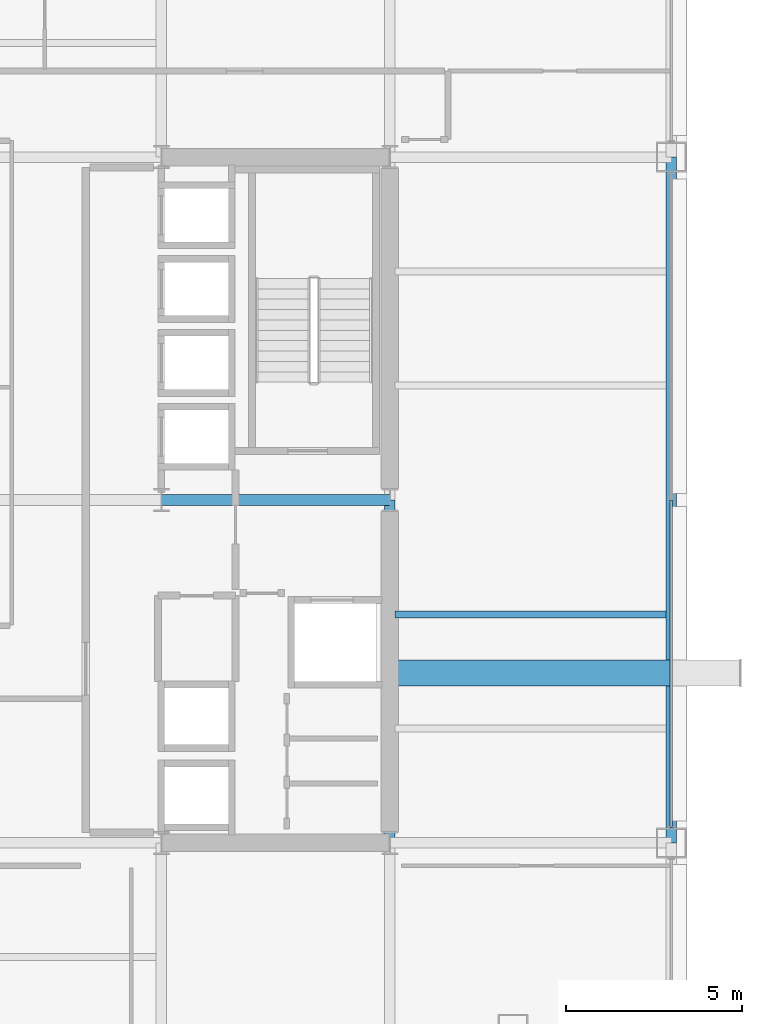
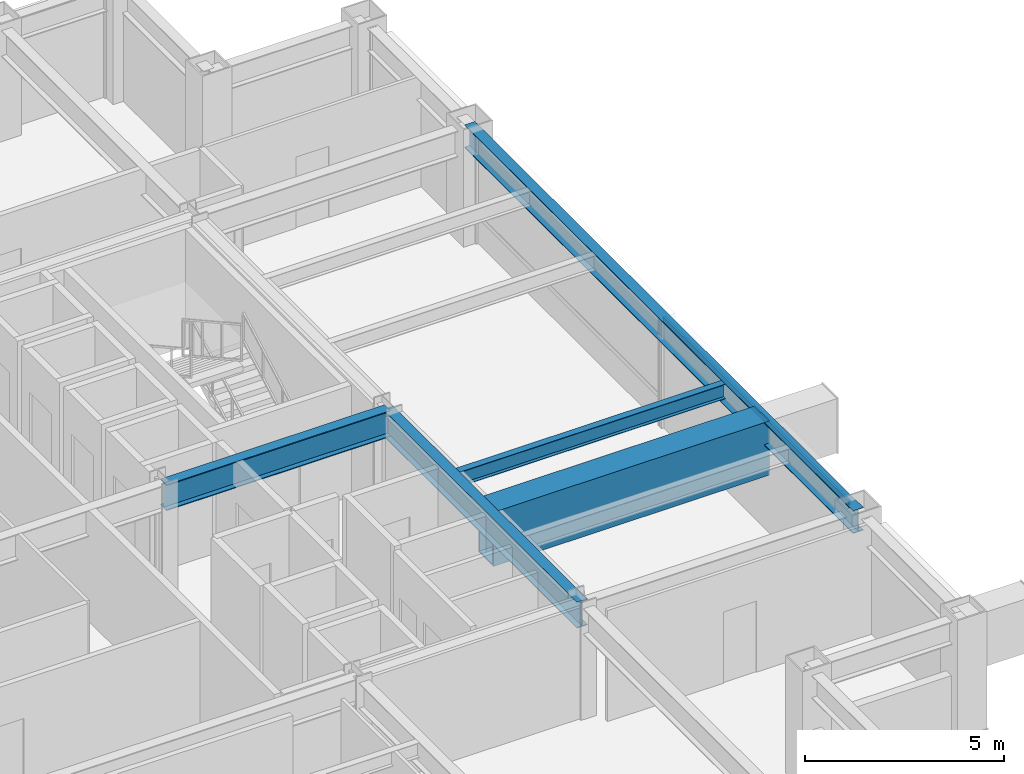
# One storey, part 13 of 28: 5 beams, 1 member, 1 element without a shape of its own.
"""IFC4 building model written with IfcOpenShell, lengths in metres."""

import ifcopenshell
import ifcopenshell.guid

model = None  # the IFC model being written
_history = None  # IfcOwnerHistory: only IFC2X3 demands one
_inside = {}  # id of a spatial element -> (the spatial element, [elements in it])
_under = {}  # id of a project, library or spatial element -> (it, [spatial elements below it])
_declared = {}  # id of a project -> (the project, [libraries it declares])
_typed = {}  # id of a type object -> (the type object, [elements of that type])
_made_of = {}  # id of a material, layer set ... -> (it, [elements and type objects made of it])


def new_model(schema):
    """Start an empty IFC model of exactly this schema.

    Asked for "IFC4X3", IfcOpenShell would pick the latest addendum, in which some entities
    have other attributes; the version numbers below select the first issue.
    IFC2X3 requires an IfcOwnerHistory on every rooted entity: one is made here for all.
    """
    global model, _history
    if schema == "IFC4X3":
        model = ifcopenshell.file(schema_version=(4, 3, 0, 0))
    else:
        model = ifcopenshell.file(schema=schema)
    _inside.clear()
    _under.clear()
    _declared.clear()
    _typed.clear()
    _made_of.clear()
    _history = None
    if model.schema == "IFC2X3":
        org = make("IfcOrganization", Name="unknown")
        user = make(
            "IfcPersonAndOrganization",
            ThePerson=make("IfcPerson", FamilyName="unknown"),
            TheOrganization=org,
        )
        app = make(
            "IfcApplication",
            ApplicationDeveloper=org,
            Version="unknown",
            ApplicationFullName="unknown",
            ApplicationIdentifier="unknown",
        )
        _history = make(
            "IfcOwnerHistory",
            OwningUser=user,
            OwningApplication=app,
            ChangeAction="ADDED",
            CreationDate=0,
        )
    return model


def make(cls, **values):
    """One entity of the class cls with the attributes given. An attribute that is None is left unset."""
    return model.create_entity(
        cls, **{name: value for name, value in values.items() if value is not None}
    )


def rooted(cls, **values):
    """An entity with a GlobalId (a new one), such as an element, a storey or a relation."""
    return make(cls, GlobalId=ifcopenshell.guid.new(), OwnerHistory=_history, **values)


def si_unit(unit_type, name, prefix=None):
    """IfcSIUnit, for example si_unit("LENGTHUNIT", "METRE", prefix="MILLI")."""
    return make("IfcSIUnit", UnitType=unit_type, Prefix=prefix, Name=name)


def assignment(units):
    """IfcUnitAssignment: the units of a project."""
    return None if units is None else make("IfcUnitAssignment", Units=units)


def point(xyz):
    """IfcCartesianPoint."""
    return None if xyz is None else make("IfcCartesianPoint", Coordinates=xyz)


def direction(xyz):
    """IfcDirection."""
    return None if xyz is None else make("IfcDirection", DirectionRatios=xyz)


def frame(location, z_axis=None, x_axis=None):
    """IfcAxis2Placement3D, a coordinate frame: its origin and axes. An axis left out is left unset."""
    return make(
        "IfcAxis2Placement3D",
        Location=point(location),
        Axis=direction(z_axis),
        RefDirection=direction(x_axis),
    )


def frame_2d(location, x_axis=None):
    """IfcAxis2Placement2D, a coordinate frame in the plane: its origin and x axis."""
    return make(
        "IfcAxis2Placement2D", Location=point(location), RefDirection=direction(x_axis)
    )


def origin():
    """The frame at (0, 0, 0) with its axes left unset."""
    return frame((0.0, 0.0, 0.0))


def origin_2d():
    """The frame at (0, 0) in the plane with its x axis left unset."""
    return frame_2d((0.0, 0.0))


def place(relative_to, where):
    """IfcLocalPlacement: puts the frame where relative to a parent placement (None: the world)."""
    return make(
        "IfcLocalPlacement", PlacementRelTo=relative_to, RelativePlacement=where
    )


def context(
    kind, dimensions, precision=None, world=None, true_north=None, identifier=None
):
    """IfcGeometricRepresentationContext, for example the 3D "Model" context."""
    return make(
        "IfcGeometricRepresentationContext",
        ContextIdentifier=identifier,
        ContextType=kind,
        CoordinateSpaceDimension=dimensions,
        Precision=precision,
        WorldCoordinateSystem=world,
        TrueNorth=true_north,
    )


def subcontext(parent, identifier, kind, view, scale=None):
    """IfcGeometricRepresentationSubContext, for example "Body" below "Model"."""
    return make(
        "IfcGeometricRepresentationSubContext",
        ContextIdentifier=identifier,
        ContextType=kind,
        ParentContext=parent,
        TargetScale=scale,
        TargetView=view,
    )


def project(units=None, contexts=None):
    """IfcProject with its units and contexts."""
    return rooted(
        "IfcProject",
        Name="project",
        RepresentationContexts=contexts,
        UnitsInContext=assignment(units),
    )


def spatial(cls, under=None, at=None, **own):
    """A site, building, storey or space (cls), placed at a placement, below another one or the project."""
    s = rooted(cls, ObjectPlacement=at, **own)
    if under is not None:
        _under.setdefault(under.id(), (under, []))[1].append(s)
    return s


def profile(cls, at=None, kind="AREA", **sizes):
    """A parametric profile (cls). Its sizes go by their IFC names, for example OverallWidth=200.0."""
    return make(cls, ProfileType=kind, Position=at, **sizes)


def hollow_rectangle(**sizes):
    """IfcRectangleHollowProfileDef."""
    return profile("IfcRectangleHollowProfileDef", **sizes)


def i_section(**sizes):
    """IfcIShapeProfileDef."""
    return profile("IfcIShapeProfileDef", **sizes)


def extrude(swept, where, along, depth):
    """IfcExtrudedAreaSolid: the profile swept, set in the frame where, extruded along a direction by depth."""
    return make(
        "IfcExtrudedAreaSolid",
        SweptArea=swept,
        Position=where,
        ExtrudedDirection=direction(along),
        Depth=depth,
    )


def shape(context_of_items, identifier, shape_type, items):
    """IfcShapeRepresentation: the items that make up one representation, for example the "Body"."""
    return make(
        "IfcShapeRepresentation",
        ContextOfItems=context_of_items,
        RepresentationIdentifier=identifier,
        RepresentationType=shape_type,
        Items=items,
    )


def material(Name=None, Category=None):
    """IfcMaterial."""
    return make("IfcMaterial", Name=Name, Category=Category)


def layer(
    of_material, thickness, ventilated=None, Name=None, Category=None, Priority=None
):
    """IfcMaterialLayer: one layer of a wall or slab, of a material (None: an air gap)."""
    return make(
        "IfcMaterialLayer",
        Material=of_material,
        LayerThickness=thickness,
        IsVentilated=ventilated,
        Name=Name,
        Category=Category,
        Priority=Priority,
    )


def layer_set(layers, Name=None):
    """IfcMaterialLayerSet."""
    return make("IfcMaterialLayerSet", MaterialLayers=layers, LayerSetName=Name)


def material_profile(
    of_material, cross_section, Name=None, Category=None, Priority=None
):
    """IfcMaterialProfile: a cross section and its material."""
    return make(
        "IfcMaterialProfile",
        Name=Name,
        Material=of_material,
        Profile=cross_section,
        Priority=Priority,
        Category=Category,
    )


def profile_set(profiles, Name=None, composite=None):
    """IfcMaterialProfileSet."""
    return make(
        "IfcMaterialProfileSet",
        Name=Name,
        MaterialProfiles=profiles,
        CompositeProfile=composite,
    )


def made_of(thing, what):
    """Note that an element or type object is made of a material, layer set ...; save() writes the relation."""
    if what is not None:
        _made_of.setdefault(what.id(), (what, []))[1].append(thing)
    return thing


def type_object(cls, material=None, **own):
    """A type object (cls), such as IfcWallType, which elements share."""
    return made_of(rooted(cls, **own), material)


def element(
    cls,
    number,
    at=None,
    inside=None,
    cuts=None,
    type_object=None,
    material=None,
    context=None,
    identifier="Body",
    shape_type=None,
    held_by="IfcProductDefinitionShape",
    body=None,
    shapes=None,
    **own,
):
    """One element of the class cls, such as IfcWall. Its Tag is "e" and its number.

    at: its placement. inside: the storey or other place that contains it. cuts: it is an
    opening in that element (IfcRelVoidsElement). A single representation is given by context,
    identifier, shape_type and body (its items); several are given by shapes. held_by: the class
    of the entity that holds the representations. save() writes the other relations.
    """
    e = rooted(cls, Tag="e%d" % number, ObjectPlacement=at, **own)
    if body is not None:
        shapes = [shape(context, identifier, shape_type, body)]
    if shapes is not None:
        e.Representation = make(held_by, Representations=shapes)
    if inside is not None:
        _inside.setdefault(inside.id(), (inside, []))[1].append(e)
    if cuts is not None:
        rooted(
            "IfcRelVoidsElement", RelatingBuildingElement=cuts, RelatedOpeningElement=e
        )
    if type_object is not None:
        _typed.setdefault(type_object.id(), (type_object, []))[1].append(e)
    return made_of(e, material)


def aggregate(whole, parts):
    """IfcRelAggregates: a whole, such as a stair, and the parts it consists of."""
    return rooted("IfcRelAggregates", RelatingObject=whole, RelatedObjects=parts)


def save(model, path):
    """Write the relations noted so far, then the file.

    IfcRelAggregates (storeys below a building ...), IfcRelContainedInSpatialStructure (elements
    in a storey), IfcRelDefinesByType, IfcRelAssociatesMaterial and IfcRelDeclares: one each for
    every whole, place, type object, material and project.
    """
    for whole, parts in _under.values():
        aggregate(whole, parts)
    for where, things in _inside.values():
        rooted(
            "IfcRelContainedInSpatialStructure",
            RelatedElements=things,
            RelatingStructure=where,
        )
    for kind, things in _typed.values():
        rooted("IfcRelDefinesByType", RelatedObjects=things, RelatingType=kind)
    for what, things in _made_of.values():
        rooted("IfcRelAssociatesMaterial", RelatedObjects=things, RelatingMaterial=what)
    for by, libraries in _declared.values():
        rooted("IfcRelDeclares", RelatingContext=by, RelatedDefinitions=libraries)
    model.write(path)


model = new_model("IFC4")

# Units and contexts
model_context = context("Model", 3, precision=1e-05, world=origin(), true_north=direction((0.0, 1.0)))
body_context = subcontext(model_context, "Body", "Model", "MODEL_VIEW")
ifc_project = project(units=[si_unit("LENGTHUNIT", "METRE"), si_unit("AREAUNIT", "SQUARE_METRE"), si_unit("VOLUMEUNIT", "CUBIC_METRE"), si_unit("PLANEANGLEUNIT", "RADIAN"), si_unit("MASSUNIT", "GRAM", prefix="KILO")], contexts=[model_context])

# Site, building, storey
site_placement = place(None, origin())
site = spatial("IfcSite", under=ifc_project, at=site_placement, CompositionType="ELEMENT")
building_placement = place(site_placement, origin())
building = spatial("IfcBuilding", under=site, at=building_placement, Name="Brelmoor Portico Tower", CompositionType="ELEMENT")
storey_placement = place(building_placement, frame((0.0, 0.0, 91.800048828125)))
storey = spatial("IfcBuildingStorey", under=building, at=storey_placement, Name="L23", CompositionType="ELEMENT", Elevation=91.800048828125)

# Beams
ifc_material_1 = material(Name="Steel Q355B", Category="steel")
ifc_material_profile_1 = material_profile(ifc_material_1, i_section(OverallWidth=0.199951171875, OverallDepth=0.449951171875, WebThickness=0.009033203125, FlangeThickness=0.013916015625, at=origin_2d()), Name="HN 450x200x9x14")
ifc_profile_set_1 = profile_set([ifc_material_profile_1], Name="Steel Q355B")
beam_type_1 = type_object("IfcBeamType", Name="BM-JS-450", PredefinedType="JOIST", material=ifc_profile_set_1)
beam_1_placement = place(storey_placement, frame((14.699951171875, -3.25, 3.175048828125), z_axis=(1.0, 0.0, 0.0), x_axis=(0.0, 1.0, 0.0)))
element("IfcBeam", 1, at=beam_1_placement, inside=storey, type_object=beam_type_1, Name="L23 Secondary Wing Joist JS-E10", PredefinedType="JOIST", context=body_context, shape_type="SweptSolid", body=[
    extrude(i_section(OverallWidth=0.199951171875, OverallDepth=0.449951171875, WebThickness=0.009033203125, FlangeThickness=0.013916015625, at=origin_2d()), origin(), (0.0, 0.0, 1.0), 7.699951171875),
])
ifc_material_profile_2 = material_profile(ifc_material_1, i_section(OverallWidth=0.300048828125, OverallDepth=0.800048828125, WebThickness=0.013916015625, FlangeThickness=0.02587890625, at=origin_2d()), Name="HN 800x300x14x26")
ifc_profile_set_2 = profile_set([ifc_material_profile_2], Name="Steel Q355B")
beam_type_2 = type_object("IfcBeamType", Name="BM-PG-800", PredefinedType="BEAM", material=ifc_profile_set_2)
beam_2_placement = place(storey_placement, frame((14.550048828125, -9.75, 3.0), z_axis=(0.0, 1.0, 0.0), x_axis=(-1.0, 0.0, 0.0)))
element("IfcBeam", 2, at=beam_2_placement, inside=storey, type_object=beam_type_2, Name="L23 Primary Floor Girder PG-10", PredefinedType="BEAM", context=body_context, shape_type="SweptSolid", body=[
    extrude(i_section(OverallWidth=0.300048828125, OverallDepth=0.800048828125, WebThickness=0.013916015625, FlangeThickness=0.02587890625, at=origin_2d()), origin(), (0.0, 0.0, 1.0), 9.75),
])
beam_3_placement = place(storey_placement, frame((8.050048828125, 0.0, 3.0), z_axis=(1.0, 0.0, 0.0), x_axis=(0.0, 1.0, 0.0)))
element("IfcBeam", 3, at=beam_3_placement, inside=storey, type_object=beam_type_2, Name="L23 Primary Floor Girder PG-20", PredefinedType="BEAM", context=body_context, shape_type="SweptSolid", body=[
    extrude(i_section(OverallWidth=0.300048828125, OverallDepth=0.800048828125, WebThickness=0.013916015625, FlangeThickness=0.02587890625, at=origin_2d()), origin(), (0.0, 0.0, 1.0), 6.5),
])
ifc_material_profile_3 = material_profile(ifc_material_1, i_section(OverallWidth=0.300048828125, OverallDepth=0.699951171875, WebThickness=0.012939453125, FlangeThickness=0.02392578125, at=origin_2d()), Name="HN 700x300x13x24")
ifc_profile_set_3 = profile_set([ifc_material_profile_3], Name="Steel Q355B")
beam_type_3 = type_object("IfcBeamType", Name="BM-SP-700", PredefinedType="SPANDREL", material=ifc_profile_set_3)
beam_4_placement = place(storey_placement, frame((22.550048828125, -9.75, 3.050048828125), z_axis=(0.0, 1.0, 0.0), x_axis=(-1.0, 0.0, 0.0)))
element("IfcBeam", 4, at=beam_4_placement, inside=storey, type_object=beam_type_3, Name="L23 Perimeter Spandrel Beam SP-23", PredefinedType="SPANDREL", context=body_context, shape_type="SweptSolid", body=[
    extrude(i_section(OverallWidth=0.300048828125, OverallDepth=0.699951171875, WebThickness=0.012939453125, FlangeThickness=0.02392578125, at=origin_2d()), origin(), (0.0, 0.0, 1.0), 19.5),
])
ifc_material_profile_4 = material_profile(ifc_material_1, hollow_rectangle(XDim=0.75, YDim=1.659912109375, WallThickness=0.0419921875, at=origin_2d()), Name="BOX 750x1660x42")
ifc_profile_set_4 = profile_set([ifc_material_profile_4], Name="Steel Q355B")
beam_type_4 = type_object("IfcBeamType", Name="BM-TG-Z2", PredefinedType="BEAM", material=ifc_profile_set_4)
beam_5_placement = place(storey_placement, frame((14.550048828125, -4.919921875, 2.570068359375), z_axis=(1.0, 0.0, 0.0), x_axis=(0.0, 1.0, 0.0)))
element("IfcBeam", 5, at=beam_5_placement, inside=storey, type_object=beam_type_4, Name="L23 Picture-Frame Backspan Transfer Girder PFBS-04", PredefinedType="BEAM", context=body_context, shape_type="SweptSolid", body=[
    extrude(hollow_rectangle(XDim=0.75, YDim=1.659912109375, WallThickness=0.0419921875, at=origin_2d()), origin(), (0.0, 0.0, 1.0), 8.0),
])

# Curtain wall, member
ifc_material_2 = material(Name="Anodised Aluminium Alloy 6063-T6", Category="aluminium")
ifc_layer = layer(ifc_material_2, 0.179931640625)
ifc_layer_set = layer_set([ifc_layer], Name="Anodised Aluminium Alloy 6063-T6")
curtain_wall_type = type_object("IfcCurtainWallType", Name="CW-TOWER-Z2-XB", PredefinedType="NOTDEFINED", material=ifc_layer_set)
curtain_wall_placement = place(storey_placement, origin())
curtain_wall = element("IfcCurtainWall", 6, at=curtain_wall_placement, inside=storey, type_object=curtain_wall_type, Name="L23 Curtain Wall CW-L23-04-2a", PredefinedType="NOTDEFINED")
ifc_material_profile_5 = material_profile(ifc_material_2, hollow_rectangle(XDim=0.06494140625, YDim=0.139892578125, WallThickness=0.00390625, at=origin_2d()), Name="ALU TRANSOM 65x140")
ifc_profile_set_5 = profile_set([ifc_material_profile_5], Name="Anodised Aluminium Alloy 6063-T6")
member_type = type_object("IfcMemberType", Name="MB-CW-TRAN-140", PredefinedType="USERDEFINED", material=ifc_profile_set_5)
member_placement = place(storey_placement, frame((22.550048828125, -9.31494140625, 3.329833984375), z_axis=(0.0, 1.0, 0.0), x_axis=(-1.0, 0.0, 0.0)))
member = element("IfcMember", 7, at=member_placement, type_object=member_type, Name="CW-L23-04-2a Transom 1-00", ObjectType="TRANSOM", PredefinedType="USERDEFINED", context=body_context, shape_type="SweptSolid", body=[
    extrude(hollow_rectangle(XDim=0.06494140625, YDim=0.139892578125, WallThickness=0.00390625, at=origin_2d()), origin(), (0.0, 0.0, 1.0), 9.31494140625),
])
aggregate(curtain_wall, [member])

save(model, "model.ifc")
